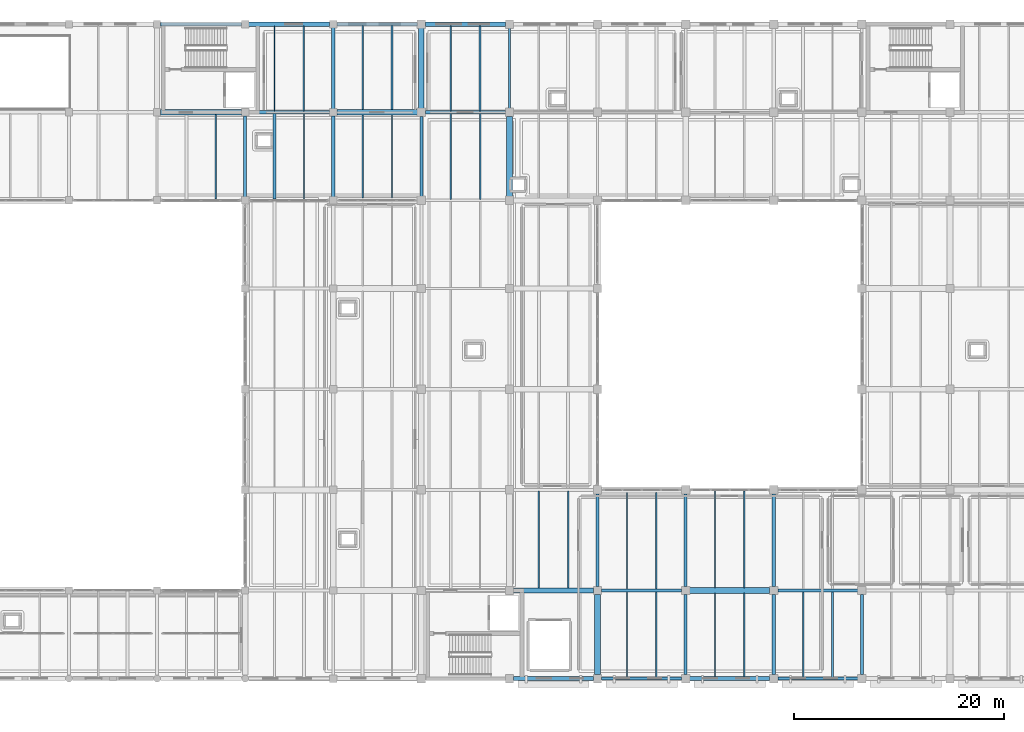
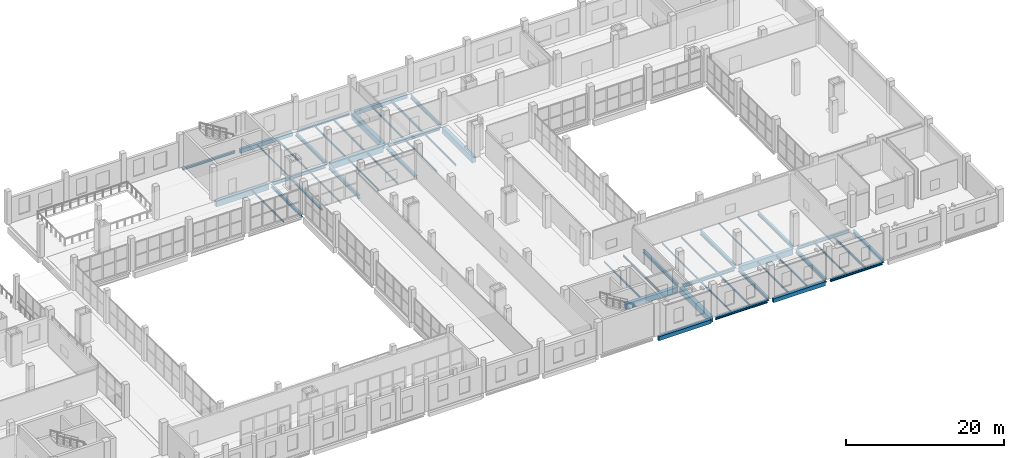
# One storey, part 35 of 73: 55 beams.
"""IFC4 building model written with IfcOpenShell, lengths in metres."""

from ifc_helpers import new_model, si_unit, direction, frame, origin, origin_2d, place, context, subcontext, project, spatial, rectangle, i_section, extrude, material, material_profile, profile_set, type_object, element, save


model = new_model("IFC4")

# Units and contexts
model_context = context("Model", 3, precision=1e-05, world=origin(), true_north=direction((0.0, 1.0)))
body_context = subcontext(model_context, "Body", "Model", "MODEL_VIEW")
ifc_project = project(units=[si_unit("LENGTHUNIT", "METRE"), si_unit("AREAUNIT", "SQUARE_METRE"), si_unit("VOLUMEUNIT", "CUBIC_METRE"), si_unit("PLANEANGLEUNIT", "RADIAN"), si_unit("MASSUNIT", "GRAM", prefix="KILO")], contexts=[model_context])

# Site, building, storey
site_placement = place(None, origin())
site = spatial("IfcSite", under=ifc_project, at=site_placement, CompositionType="ELEMENT")
building_placement = place(site_placement, origin())
building = spatial("IfcBuilding", under=site, at=building_placement, Name="Zulmaris Art Gallery", CompositionType="ELEMENT")
storey_placement = place(building_placement, frame((0.0, 0.0, 10.5)))
storey = spatial("IfcBuildingStorey", under=building, at=storey_placement, Name="L02", CompositionType="ELEMENT", Elevation=10.5)

# Beams
ifc_material_1 = material(Name="Steel S355J2", Category="steel")
ifc_material_profile_1 = material_profile(ifc_material_1, i_section(OverallWidth=0.219970703125, OverallDepth=0.60009765625, WebThickness=0.011962890625, FlangeThickness=0.01904296875, FilletRadius=0.02392578125, at=origin_2d()), Name="IPE 600")
ifc_profile_set_1 = profile_set([ifc_material_profile_1], Name="Steel S355J2")
beam_type_1 = type_object("IfcBeamType", Name="BEAM-BM07", PredefinedType="BEAM", material=ifc_profile_set_1)
beam_1_placement = place(storey_placement, frame((150.0, 67.5849609375, -0.699951171875), z_axis=(0.0, 1.0, 0.0), x_axis=(-1.0, 0.0, 0.0)))
element("IfcBeam", 1, at=beam_1_placement, inside=storey, type_object=beam_type_1, Name="L02 Y-girder (x=150.0, 67.2..75.6)", PredefinedType="BEAM", context=body_context, shape_type="SweptSolid", body=[
    extrude(i_section(OverallWidth=0.219970703125, OverallDepth=0.60009765625, WebThickness=0.011962890625, FlangeThickness=0.01904296875, FilletRadius=0.02392578125, at=origin_2d()), origin(), (0.0, 0.0, 1.0), 7.630126953125),
])
ifc_material_profile_2 = material_profile(ifc_material_1, i_section(OverallWidth=0.300048828125, OverallDepth=0.489990234375, WebThickness=0.011962890625, FlangeThickness=0.02294921875, FilletRadius=0.027099609375, at=origin_2d()), Name="HEA 500")
ifc_profile_set_2 = profile_set([ifc_material_profile_2], Name="Steel S355J2")
beam_type_2 = type_object("IfcBeamType", Name="BEAM-BM11", PredefinedType="BEAM", material=ifc_profile_set_2)
beam_2_placement = place(storey_placement, frame((175.5849609375, 21.60009765625, -0.64501953125), z_axis=(1.0, 0.0, 0.0), x_axis=(0.0, 1.0, 0.0)))
element("IfcBeam", 2, at=beam_2_placement, inside=storey, type_object=beam_type_2, Name="L02 X-girder (175.2..183.6, y=21.6)", PredefinedType="BEAM", context=body_context, shape_type="SweptSolid", body=[
    extrude(i_section(OverallWidth=0.300048828125, OverallDepth=0.489990234375, WebThickness=0.011962890625, FlangeThickness=0.02294921875, FilletRadius=0.027099609375, at=origin_2d()), origin(), (0.0, 0.0, 1.0), 7.630126953125),
])
beam_3_placement = place(storey_placement, frame((141.985107421875, 67.199951171875, -0.64501953125), z_axis=(1.0, 0.0, 0.0), x_axis=(0.0, 1.0, 0.0)))
element("IfcBeam", 3, at=beam_3_placement, inside=storey, type_object=beam_type_2, Name="L02 X-girder (141.6..150.0, y=67.2)", PredefinedType="BEAM", context=body_context, shape_type="SweptSolid", body=[
    extrude(i_section(OverallWidth=0.300048828125, OverallDepth=0.489990234375, WebThickness=0.011962890625, FlangeThickness=0.02294921875, FilletRadius=0.027099609375, at=origin_2d()), origin(), (0.0, 0.0, 1.0), 7.6298828125),
])
beam_4_placement = place(storey_placement, frame((124.800048828125, 59.135009765625, -0.64501953125), z_axis=(0.0, 1.0, 0.0), x_axis=(-1.0, 0.0, 0.0)))
element("IfcBeam", 4, at=beam_4_placement, inside=storey, type_object=beam_type_2, Name="L02 Y-girder (x=124.8, 58.8..67.2)", PredefinedType="BEAM", context=body_context, shape_type="SweptSolid", body=[
    extrude(i_section(OverallWidth=0.300048828125, OverallDepth=0.489990234375, WebThickness=0.011962890625, FlangeThickness=0.02294921875, FilletRadius=0.027099609375, at=origin_2d()), origin(), (0.0, 0.0, 1.0), 7.72998046875),
])
beam_5_placement = place(storey_placement, frame((158.39990234375, 21.985107421875, -0.64501953125), z_axis=(0.0, 1.0, 0.0), x_axis=(-1.0, 0.0, 0.0)))
element("IfcBeam", 5, at=beam_5_placement, inside=storey, type_object=beam_type_2, Name="L02 Y-girder (x=158.4, 21.6..31.2)", PredefinedType="BEAM", context=body_context, shape_type="SweptSolid", body=[
    extrude(i_section(OverallWidth=0.300048828125, OverallDepth=0.489990234375, WebThickness=0.011962890625, FlangeThickness=0.02294921875, FilletRadius=0.027099609375, at=origin_2d()), origin(), (0.0, 0.0, 1.0), 8.829833984375),
])
beam_6_placement = place(storey_placement, frame((166.800048828125, 13.5849609375, -0.64501953125), z_axis=(0.0, 1.0, 0.0), x_axis=(-1.0, 0.0, 0.0)))
element("IfcBeam", 6, at=beam_6_placement, inside=storey, type_object=beam_type_2, Name="L02 Y-girder (x=166.8, 13.2..21.6)", PredefinedType="BEAM", context=body_context, shape_type="SweptSolid", body=[
    extrude(i_section(OverallWidth=0.300048828125, OverallDepth=0.489990234375, WebThickness=0.011962890625, FlangeThickness=0.02294921875, FilletRadius=0.027099609375, at=origin_2d()), origin(), (0.0, 0.0, 1.0), 7.630126953125),
])
ifc_material_profile_3 = material_profile(ifc_material_1, i_section(OverallWidth=0.300048828125, OverallDepth=0.5, WebThickness=0.014404296875, FlangeThickness=0.028076171875, FilletRadius=0.027099609375, at=origin_2d()), Name="HEB 500")
ifc_profile_set_3 = profile_set([ifc_material_profile_3], Name="Steel S355J2")
beam_type_3 = type_object("IfcBeamType", Name="BEAM-BM14", PredefinedType="BEAM", material=ifc_profile_set_3)
beam_7_placement = place(storey_placement, frame((158.784912109375, 21.60009765625, -0.64990234375), z_axis=(1.0, 0.0, 0.0), x_axis=(0.0, 1.0, 0.0)))
element("IfcBeam", 7, at=beam_7_placement, inside=storey, type_object=beam_type_3, Name="L02 X-girder (158.4..166.8, y=21.6)", PredefinedType="BEAM", context=body_context, shape_type="SweptSolid", body=[
    extrude(i_section(OverallWidth=0.300048828125, OverallDepth=0.5, WebThickness=0.014404296875, FlangeThickness=0.028076171875, FilletRadius=0.027099609375, at=origin_2d()), origin(), (0.0, 0.0, 1.0), 7.630126953125),
])
for number, where, z_axis, x_axis, name in (
    (8, (125.135009765625, 67.199951171875, -0.64990234375), (1.0, 0.0, 0.0), (0.0, 1.0, 0.0), "L02 X-girder (124.8..133.2, y=67.2)"),
    (9, (133.199951171875, 67.534912109375, -0.64501953125), (0.0, 1.0, 0.0), (-1.0, 0.0, 0.0), "L02 Y-girder (x=133.2, 67.2..75.6)"),
):
    element("IfcBeam", number, at=place(storey_placement, frame(where, z_axis=z_axis, x_axis=x_axis)), inside=storey, type_object=beam_type_3, Name=name, PredefinedType="BEAM", context=body_context, shape_type="SweptSolid", body=[
        extrude(i_section(OverallWidth=0.300048828125, OverallDepth=0.5, WebThickness=0.014404296875, FlangeThickness=0.028076171875, FilletRadius=0.027099609375, at=origin_2d()), origin(), (0.0, 0.0, 1.0), 7.72998046875),
    ])
beam_8_placement = place(storey_placement, frame((141.60009765625, 59.18505859375, -0.64501953125), z_axis=(0.0, 1.0, 0.0), x_axis=(-1.0, 0.0, 0.0)))
element("IfcBeam", 10, at=beam_8_placement, inside=storey, type_object=beam_type_3, Name="L02 Y-girder (x=141.6, 58.8..67.2)", PredefinedType="BEAM", context=body_context, shape_type="SweptSolid", body=[
    extrude(i_section(OverallWidth=0.300048828125, OverallDepth=0.5, WebThickness=0.014404296875, FlangeThickness=0.028076171875, FilletRadius=0.027099609375, at=origin_2d()), origin(), (0.0, 0.0, 1.0), 7.6298828125),
])
beam_9_placement = place(storey_placement, frame((175.199951171875, 21.985107421875, -0.64501953125), z_axis=(0.0, 1.0, 0.0), x_axis=(-1.0, 0.0, 0.0)))
element("IfcBeam", 11, at=beam_9_placement, inside=storey, type_object=beam_type_3, Name="L02 Y-girder (x=175.2, 21.6..31.2)", PredefinedType="BEAM", context=body_context, shape_type="SweptSolid", body=[
    extrude(i_section(OverallWidth=0.300048828125, OverallDepth=0.5, WebThickness=0.014404296875, FlangeThickness=0.028076171875, FilletRadius=0.027099609375, at=origin_2d()), origin(), (0.0, 0.0, 1.0), 8.829833984375),
])
beam_10_placement = place(storey_placement, frame((183.60009765625, 13.5849609375, -0.64501953125), z_axis=(0.0, 1.0, 0.0), x_axis=(-1.0, 0.0, 0.0)))
element("IfcBeam", 12, at=beam_10_placement, inside=storey, type_object=beam_type_3, Name="L02 Y-girder (x=183.6, 13.2..21.6)", PredefinedType="BEAM", context=body_context, shape_type="SweptSolid", body=[
    extrude(i_section(OverallWidth=0.300048828125, OverallDepth=0.5, WebThickness=0.014404296875, FlangeThickness=0.028076171875, FilletRadius=0.027099609375, at=origin_2d()), origin(), (0.0, 0.0, 1.0), 7.630126953125),
])
ifc_material_profile_4 = material_profile(ifc_material_1, i_section(OverallWidth=0.300048828125, OverallDepth=0.60009765625, WebThickness=0.015380859375, FlangeThickness=0.030029296875, FilletRadius=0.027099609375, at=origin_2d()), Name="HEB 600")
ifc_profile_set_4 = profile_set([ifc_material_profile_4], Name="Steel S355J2")
beam_type_4 = type_object("IfcBeamType", Name="BEAM-BM15", PredefinedType="BEAM", material=ifc_profile_set_4)
beam_11_placement = place(storey_placement, frame((133.199951171875, 59.135009765625, -0.699951171875), z_axis=(0.0, 1.0, 0.0), x_axis=(-1.0, 0.0, 0.0)))
element("IfcBeam", 13, at=beam_11_placement, inside=storey, type_object=beam_type_4, Name="L02 Y-girder (x=133.2, 58.8..67.2)", PredefinedType="BEAM", context=body_context, shape_type="SweptSolid", body=[
    extrude(i_section(OverallWidth=0.300048828125, OverallDepth=0.60009765625, WebThickness=0.015380859375, FlangeThickness=0.030029296875, FilletRadius=0.027099609375, at=origin_2d()), origin(), (0.0, 0.0, 1.0), 7.72998046875),
])
beam_12_placement = place(storey_placement, frame((166.800048828125, 21.985107421875, -0.699951171875), z_axis=(0.0, 1.0, 0.0), x_axis=(-1.0, 0.0, 0.0)))
element("IfcBeam", 14, at=beam_12_placement, inside=storey, type_object=beam_type_4, Name="L02 Y-girder (x=166.8, 21.6..31.2)", PredefinedType="BEAM", context=body_context, shape_type="SweptSolid", body=[
    extrude(i_section(OverallWidth=0.300048828125, OverallDepth=0.60009765625, WebThickness=0.015380859375, FlangeThickness=0.030029296875, FilletRadius=0.027099609375, at=origin_2d()), origin(), (0.0, 0.0, 1.0), 8.829833984375),
])
beam_13_placement = place(storey_placement, frame((175.199951171875, 13.5849609375, -0.699951171875), z_axis=(0.0, 1.0, 0.0), x_axis=(-1.0, 0.0, 0.0)))
element("IfcBeam", 15, at=beam_13_placement, inside=storey, type_object=beam_type_4, Name="L02 Y-girder (x=175.2, 13.2..21.6)", PredefinedType="BEAM", context=body_context, shape_type="SweptSolid", body=[
    extrude(i_section(OverallWidth=0.300048828125, OverallDepth=0.60009765625, WebThickness=0.015380859375, FlangeThickness=0.030029296875, FilletRadius=0.027099609375, at=origin_2d()), origin(), (0.0, 0.0, 1.0), 7.630126953125),
])
ifc_material_2 = material(Name="Concrete C40/50", Category="concrete")
ifc_material_profile_5 = material_profile(ifc_material_2, rectangle(XDim=0.550048828125, YDim=0.89990234375, at=origin_2d()), Name="RC 550x900")
ifc_profile_set_5 = profile_set([ifc_material_profile_5], Name="Concrete C40/50")
beam_type_5 = type_object("IfcBeamType", Name="BEAM-BM21", PredefinedType="BEAM", material=ifc_profile_set_5)
beam_14_placement = place(storey_placement, frame((167.18505859375, 21.60009765625, -0.85009765625), z_axis=(1.0, 0.0, 0.0), x_axis=(0.0, 1.0, 0.0)))
element("IfcBeam", 16, at=beam_14_placement, inside=storey, type_object=beam_type_5, Name="L02 X-girder (166.8..175.2, y=21.6)", PredefinedType="BEAM", context=body_context, shape_type="SweptSolid", body=[
    extrude(rectangle(XDim=0.550048828125, YDim=0.89990234375, at=origin_2d()), origin(), (0.0, 0.0, 1.0), 7.6298828125),
])
beam_15_placement = place(storey_placement, frame((133.534912109375, 67.199951171875, -0.85009765625), z_axis=(1.0, 0.0, 0.0), x_axis=(0.0, 1.0, 0.0)))
element("IfcBeam", 17, at=beam_15_placement, inside=storey, type_object=beam_type_5, Name="L02 X-girder (133.2..141.6, y=67.2)", PredefinedType="BEAM", context=body_context, shape_type="SweptSolid", body=[
    extrude(rectangle(XDim=0.550048828125, YDim=0.89990234375, at=origin_2d()), origin(), (0.0, 0.0, 1.0), 7.68017578125),
])
beam_16_placement = place(storey_placement, frame((141.60009765625, 67.5849609375, -0.85009765625), z_axis=(0.0, 1.0, 0.0), x_axis=(-1.0, 0.0, 0.0)))
element("IfcBeam", 18, at=beam_16_placement, inside=storey, type_object=beam_type_5, Name="L02 Y-girder (x=141.6, 67.2..75.6)", PredefinedType="BEAM", context=body_context, shape_type="SweptSolid", body=[
    extrude(rectangle(XDim=0.550048828125, YDim=0.89990234375, at=origin_2d()), origin(), (0.0, 0.0, 1.0), 7.630126953125),
])
beam_17_placement = place(storey_placement, frame((150.0, 59.18505859375, -0.85009765625), z_axis=(0.0, 1.0, 0.0), x_axis=(-1.0, 0.0, 0.0)))
element("IfcBeam", 19, at=beam_17_placement, inside=storey, type_object=beam_type_5, Name="L02 Y-girder (x=150.0, 58.8..67.2)", PredefinedType="BEAM", context=body_context, shape_type="SweptSolid", body=[
    extrude(rectangle(XDim=0.550048828125, YDim=0.89990234375, at=origin_2d()), origin(), (0.0, 0.0, 1.0), 7.6298828125),
])
beam_18_placement = place(storey_placement, frame((158.39990234375, 13.5849609375, -0.85009765625), z_axis=(0.0, 1.0, 0.0), x_axis=(-1.0, 0.0, 0.0)))
element("IfcBeam", 20, at=beam_18_placement, inside=storey, type_object=beam_type_5, Name="L02 Y-girder (x=158.4, 13.2..21.6)", PredefinedType="BEAM", context=body_context, shape_type="SweptSolid", body=[
    extrude(rectangle(XDim=0.550048828125, YDim=0.89990234375, at=origin_2d()), origin(), (0.0, 0.0, 1.0), 7.630126953125),
])
ifc_material_profile_6 = material_profile(ifc_material_2, rectangle(XDim=0.5, YDim=0.85009765625, at=origin_2d()), Name="RC 500x850")
ifc_profile_set_6 = profile_set([ifc_material_profile_6], Name="Concrete C40/50")
beam_type_6 = type_object("IfcBeamType", Name="BEAM-BM26", PredefinedType="BEAM", material=ifc_profile_set_6)
beam_19_placement = place(storey_placement, frame((150.385009765625, 21.60009765625, -0.824951171875), z_axis=(1.0, 0.0, 0.0), x_axis=(0.0, 1.0, 0.0)))
element("IfcBeam", 21, at=beam_19_placement, inside=storey, type_object=beam_type_6, Name="L02 X-girder (150.0..158.4, y=21.6)", PredefinedType="BEAM", context=body_context, shape_type="SweptSolid", body=[
    extrude(rectangle(XDim=0.5, YDim=0.85009765625, at=origin_2d()), origin(), (0.0, 0.0, 1.0), 7.6298828125),
])
beam_20_placement = place(storey_placement, frame((116.735107421875, 67.199951171875, -0.824951171875), z_axis=(1.0, 0.0, 0.0), x_axis=(0.0, 1.0, 0.0)))
element("IfcBeam", 22, at=beam_20_placement, inside=storey, type_object=beam_type_6, Name="L02 X-girder (116.4..124.8, y=67.2)", PredefinedType="BEAM", context=body_context, shape_type="SweptSolid", body=[
    extrude(rectangle(XDim=0.5, YDim=0.85009765625, at=origin_2d()), origin(), (0.0, 0.0, 1.0), 7.72998046875),
])
ifc_material_profile_7 = material_profile(ifc_material_1, i_section(OverallWidth=0.1201171875, OverallDepth=0.239990234375, WebThickness=0.006103515625, FlangeThickness=0.009765625, FilletRadius=0.014892578125, at=origin_2d()), Name="IPE 240")
ifc_profile_set_7 = profile_set([ifc_material_profile_7], Name="Steel S355J2")
beam_type_7 = type_object("IfcBeamType", Name="BEAM-JS01", PredefinedType="JOIST", material=ifc_profile_set_7)
beam_21_placement = place(storey_placement, frame((122.0, 58.925048828125, -0.52001953125), z_axis=(0.0, 1.0, 0.0), x_axis=(-1.0, 0.0, 0.0)))
element("IfcBeam", 23, at=beam_21_placement, inside=storey, type_object=beam_type_7, Name="L02 secondary joist at x=122.0", PredefinedType="JOIST", context=body_context, shape_type="SweptSolid", body=[
    extrude(i_section(OverallWidth=0.1201171875, OverallDepth=0.239990234375, WebThickness=0.006103515625, FlangeThickness=0.009765625, FilletRadius=0.014892578125, at=origin_2d()), origin(), (0.0, 0.0, 1.0), 8.050048828125),
])
beam_22_placement = place(storey_placement, frame((130.39990234375, 58.925048828125, -0.52001953125), z_axis=(0.0, 1.0, 0.0), x_axis=(-1.0, 0.0, 0.0)))
element("IfcBeam", 24, at=beam_22_placement, inside=storey, type_object=beam_type_7, Name="L02 secondary joist at x=130.4", PredefinedType="JOIST", context=body_context, shape_type="SweptSolid", body=[
    extrude(i_section(OverallWidth=0.1201171875, OverallDepth=0.239990234375, WebThickness=0.006103515625, FlangeThickness=0.009765625, FilletRadius=0.014892578125, at=origin_2d()), origin(), (0.0, 0.0, 1.0), 8.14990234375),
])
beam_23_placement = place(storey_placement, frame((127.60009765625, 67.324951171875, -0.52001953125), z_axis=(0.0, 1.0, 0.0), x_axis=(-1.0, 0.0, 0.0)))
element("IfcBeam", 25, at=beam_23_placement, inside=storey, type_object=beam_type_7, Name="L02 secondary joist at x=127.6", PredefinedType="JOIST", context=body_context, shape_type="SweptSolid", body=[
    extrude(i_section(OverallWidth=0.1201171875, OverallDepth=0.239990234375, WebThickness=0.006103515625, FlangeThickness=0.009765625, FilletRadius=0.014892578125, at=origin_2d()), origin(), (0.0, 0.0, 1.0), 8.10009765625),
])
beam_24_placement = place(storey_placement, frame((136.0, 59.050048828125, -0.52001953125), z_axis=(0.0, 1.0, 0.0), x_axis=(-1.0, 0.0, 0.0)))
element("IfcBeam", 26, at=beam_24_placement, inside=storey, type_object=beam_type_7, Name="L02 secondary joist at x=136.0", PredefinedType="JOIST", context=body_context, shape_type="SweptSolid", body=[
    extrude(i_section(OverallWidth=0.1201171875, OverallDepth=0.239990234375, WebThickness=0.006103515625, FlangeThickness=0.009765625, FilletRadius=0.014892578125, at=origin_2d()), origin(), (0.0, 0.0, 1.0), 7.89990234375),
])
beam_25_placement = place(storey_placement, frame((144.39990234375, 58.885009765625, -0.52001953125), z_axis=(0.0, 1.0, 0.0), x_axis=(-1.0, 0.0, 0.0)))
element("IfcBeam", 27, at=beam_25_placement, inside=storey, type_object=beam_type_7, Name="L02 secondary joist at x=144.4", PredefinedType="JOIST", context=body_context, shape_type="SweptSolid", body=[
    extrude(i_section(OverallWidth=0.1201171875, OverallDepth=0.239990234375, WebThickness=0.006103515625, FlangeThickness=0.009765625, FilletRadius=0.014892578125, at=origin_2d()), origin(), (0.0, 0.0, 1.0), 8.18994140625),
])
beam_26_placement = place(storey_placement, frame((152.800048828125, 21.824951171875, -0.52001953125), z_axis=(0.0, 1.0, 0.0), x_axis=(-1.0, 0.0, 0.0)))
element("IfcBeam", 28, at=beam_26_placement, inside=storey, type_object=beam_type_7, Name="L02 secondary joist at x=152.8", PredefinedType="JOIST", context=body_context, shape_type="SweptSolid", body=[
    extrude(i_section(OverallWidth=0.1201171875, OverallDepth=0.239990234375, WebThickness=0.006103515625, FlangeThickness=0.009765625, FilletRadius=0.014892578125, at=origin_2d()), origin(), (0.0, 0.0, 1.0), 9.25),
])
beam_27_placement = place(storey_placement, frame((161.199951171875, 13.324951171875, -0.52001953125), z_axis=(0.0, 1.0, 0.0), x_axis=(-1.0, 0.0, 0.0)))
element("IfcBeam", 29, at=beam_27_placement, inside=storey, type_object=beam_type_7, Name="L02 secondary joist at x=161.2", PredefinedType="JOIST", context=body_context, shape_type="SweptSolid", body=[
    extrude(i_section(OverallWidth=0.1201171875, OverallDepth=0.239990234375, WebThickness=0.006103515625, FlangeThickness=0.009765625, FilletRadius=0.014892578125, at=origin_2d()), origin(), (0.0, 0.0, 1.0), 8.150146484375),
])
beam_28_placement = place(storey_placement, frame((161.199951171875, 21.72509765625, -0.52001953125), z_axis=(0.0, 1.0, 0.0), x_axis=(-1.0, 0.0, 0.0)))
element("IfcBeam", 30, at=beam_28_placement, inside=storey, type_object=beam_type_7, Name="L02 secondary joist at x=161.2", PredefinedType="JOIST", context=body_context, shape_type="SweptSolid", body=[
    extrude(i_section(OverallWidth=0.1201171875, OverallDepth=0.239990234375, WebThickness=0.006103515625, FlangeThickness=0.009765625, FilletRadius=0.014892578125, at=origin_2d()), origin(), (0.0, 0.0, 1.0), 9.224853515625),
])
beam_29_placement = place(storey_placement, frame((169.60009765625, 13.375, -0.52001953125), z_axis=(0.0, 1.0, 0.0), x_axis=(-1.0, 0.0, 0.0)))
element("IfcBeam", 31, at=beam_29_placement, inside=storey, type_object=beam_type_7, Name="L02 secondary joist at x=169.6", PredefinedType="JOIST", context=body_context, shape_type="SweptSolid", body=[
    extrude(i_section(OverallWidth=0.1201171875, OverallDepth=0.239990234375, WebThickness=0.006103515625, FlangeThickness=0.009765625, FilletRadius=0.014892578125, at=origin_2d()), origin(), (0.0, 0.0, 1.0), 7.97509765625),
])
beam_30_placement = place(storey_placement, frame((169.60009765625, 21.85009765625, -0.52001953125), z_axis=(0.0, 1.0, 0.0), x_axis=(-1.0, 0.0, 0.0)))
element("IfcBeam", 32, at=beam_30_placement, inside=storey, type_object=beam_type_7, Name="L02 secondary joist at x=169.6", PredefinedType="JOIST", context=body_context, shape_type="SweptSolid", body=[
    extrude(i_section(OverallWidth=0.1201171875, OverallDepth=0.239990234375, WebThickness=0.006103515625, FlangeThickness=0.009765625, FilletRadius=0.014892578125, at=origin_2d()), origin(), (0.0, 0.0, 1.0), 9.264892578125),
])
ifc_material_profile_8 = material_profile(ifc_material_1, i_section(OverallWidth=0.135009765625, OverallDepth=0.27001953125, WebThickness=0.006591796875, FlangeThickness=0.01025390625, FilletRadius=0.014892578125, at=origin_2d()), Name="IPE 270")
ifc_profile_set_8 = profile_set([ifc_material_profile_8], Name="Steel S355J2")
beam_type_8 = type_object("IfcBeamType", Name="BEAM-JS02", PredefinedType="JOIST", material=ifc_profile_set_8)
beam_31_placement = place(storey_placement, frame((130.39990234375, 67.324951171875, -0.534912109375), z_axis=(0.0, 1.0, 0.0), x_axis=(-1.0, 0.0, 0.0)))
element("IfcBeam", 33, at=beam_31_placement, inside=storey, type_object=beam_type_8, Name="L02 secondary joist at x=130.4", PredefinedType="JOIST", context=body_context, shape_type="SweptSolid", body=[
    extrude(i_section(OverallWidth=0.135009765625, OverallDepth=0.27001953125, WebThickness=0.006591796875, FlangeThickness=0.01025390625, FilletRadius=0.014892578125, at=origin_2d()), origin(), (0.0, 0.0, 1.0), 8.10009765625),
])
beam_32_placement = place(storey_placement, frame((138.800048828125, 59.050048828125, -0.534912109375), z_axis=(0.0, 1.0, 0.0), x_axis=(-1.0, 0.0, 0.0)))
element("IfcBeam", 34, at=beam_32_placement, inside=storey, type_object=beam_type_8, Name="L02 secondary joist at x=138.8", PredefinedType="JOIST", context=body_context, shape_type="SweptSolid", body=[
    extrude(i_section(OverallWidth=0.135009765625, OverallDepth=0.27001953125, WebThickness=0.006591796875, FlangeThickness=0.01025390625, FilletRadius=0.014892578125, at=origin_2d()), origin(), (0.0, 0.0, 1.0), 7.89990234375),
])
beam_33_placement = place(storey_placement, frame((136.0, 67.449951171875, -0.534912109375), z_axis=(0.0, 1.0, 0.0), x_axis=(-1.0, 0.0, 0.0)))
element("IfcBeam", 35, at=beam_33_placement, inside=storey, type_object=beam_type_8, Name="L02 secondary joist at x=136.0", PredefinedType="JOIST", context=body_context, shape_type="SweptSolid", body=[
    extrude(i_section(OverallWidth=0.135009765625, OverallDepth=0.27001953125, WebThickness=0.006591796875, FlangeThickness=0.01025390625, FilletRadius=0.014892578125, at=origin_2d()), origin(), (0.0, 0.0, 1.0), 8.025146484375),
])
beam_34_placement = place(storey_placement, frame((147.199951171875, 58.885009765625, -0.534912109375), z_axis=(0.0, 1.0, 0.0), x_axis=(-1.0, 0.0, 0.0)))
element("IfcBeam", 36, at=beam_34_placement, inside=storey, type_object=beam_type_8, Name="L02 secondary joist at x=147.2", PredefinedType="JOIST", context=body_context, shape_type="SweptSolid", body=[
    extrude(i_section(OverallWidth=0.135009765625, OverallDepth=0.27001953125, WebThickness=0.006591796875, FlangeThickness=0.01025390625, FilletRadius=0.014892578125, at=origin_2d()), origin(), (0.0, 0.0, 1.0), 8.18994140625),
])
beam_35_placement = place(storey_placement, frame((144.39990234375, 67.324951171875, -0.534912109375), z_axis=(0.0, 1.0, 0.0), x_axis=(-1.0, 0.0, 0.0)))
element("IfcBeam", 37, at=beam_35_placement, inside=storey, type_object=beam_type_8, Name="L02 secondary joist at x=144.4", PredefinedType="JOIST", context=body_context, shape_type="SweptSolid", body=[
    extrude(i_section(OverallWidth=0.135009765625, OverallDepth=0.27001953125, WebThickness=0.006591796875, FlangeThickness=0.01025390625, FilletRadius=0.014892578125, at=origin_2d()), origin(), (0.0, 0.0, 1.0), 8.10009765625),
])
beam_36_placement = place(storey_placement, frame((155.60009765625, 21.824951171875, -0.534912109375), z_axis=(0.0, 1.0, 0.0), x_axis=(-1.0, 0.0, 0.0)))
element("IfcBeam", 38, at=beam_36_placement, inside=storey, type_object=beam_type_8, Name="L02 secondary joist at x=155.6", PredefinedType="JOIST", context=body_context, shape_type="SweptSolid", body=[
    extrude(i_section(OverallWidth=0.135009765625, OverallDepth=0.27001953125, WebThickness=0.006591796875, FlangeThickness=0.01025390625, FilletRadius=0.014892578125, at=origin_2d()), origin(), (0.0, 0.0, 1.0), 9.25),
])
beam_37_placement = place(storey_placement, frame((164.0, 13.324951171875, -0.534912109375), z_axis=(0.0, 1.0, 0.0), x_axis=(-1.0, 0.0, 0.0)))
element("IfcBeam", 39, at=beam_37_placement, inside=storey, type_object=beam_type_8, Name="L02 secondary joist at x=164.0", PredefinedType="JOIST", context=body_context, shape_type="SweptSolid", body=[
    extrude(i_section(OverallWidth=0.135009765625, OverallDepth=0.27001953125, WebThickness=0.006591796875, FlangeThickness=0.01025390625, FilletRadius=0.014892578125, at=origin_2d()), origin(), (0.0, 0.0, 1.0), 8.150146484375),
])
beam_38_placement = place(storey_placement, frame((164.0, 21.72509765625, -0.534912109375), z_axis=(0.0, 1.0, 0.0), x_axis=(-1.0, 0.0, 0.0)))
element("IfcBeam", 40, at=beam_38_placement, inside=storey, type_object=beam_type_8, Name="L02 secondary joist at x=164.0", PredefinedType="JOIST", context=body_context, shape_type="SweptSolid", body=[
    extrude(i_section(OverallWidth=0.135009765625, OverallDepth=0.27001953125, WebThickness=0.006591796875, FlangeThickness=0.01025390625, FilletRadius=0.014892578125, at=origin_2d()), origin(), (0.0, 0.0, 1.0), 9.224853515625),
])
beam_39_placement = place(storey_placement, frame((172.39990234375, 13.375, -0.534912109375), z_axis=(0.0, 1.0, 0.0), x_axis=(-1.0, 0.0, 0.0)))
element("IfcBeam", 41, at=beam_39_placement, inside=storey, type_object=beam_type_8, Name="L02 secondary joist at x=172.4", PredefinedType="JOIST", context=body_context, shape_type="SweptSolid", body=[
    extrude(i_section(OverallWidth=0.135009765625, OverallDepth=0.27001953125, WebThickness=0.006591796875, FlangeThickness=0.01025390625, FilletRadius=0.014892578125, at=origin_2d()), origin(), (0.0, 0.0, 1.0), 7.97509765625),
])
beam_40_placement = place(storey_placement, frame((172.39990234375, 21.85009765625, -0.534912109375), z_axis=(0.0, 1.0, 0.0), x_axis=(-1.0, 0.0, 0.0)))
element("IfcBeam", 42, at=beam_40_placement, inside=storey, type_object=beam_type_8, Name="L02 secondary joist at x=172.4", PredefinedType="JOIST", context=body_context, shape_type="SweptSolid", body=[
    extrude(i_section(OverallWidth=0.135009765625, OverallDepth=0.27001953125, WebThickness=0.006591796875, FlangeThickness=0.01025390625, FilletRadius=0.014892578125, at=origin_2d()), origin(), (0.0, 0.0, 1.0), 9.264892578125),
])
beam_41_placement = place(storey_placement, frame((178.0, 13.324951171875, -0.534912109375), z_axis=(0.0, 1.0, 0.0), x_axis=(-1.0, 0.0, 0.0)))
element("IfcBeam", 43, at=beam_41_placement, inside=storey, type_object=beam_type_8, Name="L02 secondary joist at x=178.0", PredefinedType="JOIST", context=body_context, shape_type="SweptSolid", body=[
    extrude(i_section(OverallWidth=0.135009765625, OverallDepth=0.27001953125, WebThickness=0.006591796875, FlangeThickness=0.01025390625, FilletRadius=0.014892578125, at=origin_2d()), origin(), (0.0, 0.0, 1.0), 8.150146484375),
])
ifc_material_profile_9 = material_profile(ifc_material_1, i_section(OverallWidth=0.159912109375, OverallDepth=0.330078125, WebThickness=0.007568359375, FlangeThickness=0.011474609375, FilletRadius=0.01806640625, at=origin_2d()), Name="IPE 330")
ifc_profile_set_9 = profile_set([ifc_material_profile_9], Name="Steel S355J2")
beam_type_9 = type_object("IfcBeamType", Name="BEAM-JS03", PredefinedType="JOIST", material=ifc_profile_set_9)
beam_42_placement = place(storey_placement, frame((138.800048828125, 67.449951171875, -0.56494140625), z_axis=(0.0, 1.0, 0.0), x_axis=(-1.0, 0.0, 0.0)))
element("IfcBeam", 44, at=beam_42_placement, inside=storey, type_object=beam_type_9, Name="L02 secondary joist at x=138.8", PredefinedType="JOIST", context=body_context, shape_type="SweptSolid", body=[
    extrude(i_section(OverallWidth=0.159912109375, OverallDepth=0.330078125, WebThickness=0.007568359375, FlangeThickness=0.011474609375, FilletRadius=0.01806640625, at=origin_2d()), origin(), (0.0, 0.0, 1.0), 8.025146484375),
])
beam_43_placement = place(storey_placement, frame((147.199951171875, 67.324951171875, -0.56494140625), z_axis=(0.0, 1.0, 0.0), x_axis=(-1.0, 0.0, 0.0)))
element("IfcBeam", 45, at=beam_43_placement, inside=storey, type_object=beam_type_9, Name="L02 secondary joist at x=147.2", PredefinedType="JOIST", context=body_context, shape_type="SweptSolid", body=[
    extrude(i_section(OverallWidth=0.159912109375, OverallDepth=0.330078125, WebThickness=0.007568359375, FlangeThickness=0.011474609375, FilletRadius=0.01806640625, at=origin_2d()), origin(), (0.0, 0.0, 1.0), 8.10009765625),
])
beam_44_placement = place(storey_placement, frame((180.800048828125, 13.324951171875, -0.56494140625), z_axis=(0.0, 1.0, 0.0), x_axis=(-1.0, 0.0, 0.0)))
element("IfcBeam", 46, at=beam_44_placement, inside=storey, type_object=beam_type_9, Name="L02 secondary joist at x=180.8", PredefinedType="JOIST", context=body_context, shape_type="SweptSolid", body=[
    extrude(i_section(OverallWidth=0.159912109375, OverallDepth=0.330078125, WebThickness=0.007568359375, FlangeThickness=0.011474609375, FilletRadius=0.01806640625, at=origin_2d()), origin(), (0.0, 0.0, 1.0), 8.150146484375),
])
ifc_material_profile_10 = material_profile(ifc_material_1, i_section(OverallWidth=0.280029296875, OverallDepth=0.27001953125, WebThickness=0.008056640625, FlangeThickness=0.012939453125, FilletRadius=0.02392578125, at=origin_2d()), Name="HEA 280")
ifc_profile_set_10 = profile_set([ifc_material_profile_10], Name="Steel S355J2")
beam_type_10 = type_object("IfcBeamType", Name="BEAM-JS04", PredefinedType="JOIST", material=ifc_profile_set_10)
beam_45_placement = place(storey_placement, frame((127.60009765625, 58.925048828125, -0.534912109375), z_axis=(0.0, 1.0, 0.0), x_axis=(-1.0, 0.0, 0.0)))
element("IfcBeam", 47, at=beam_45_placement, inside=storey, type_object=beam_type_10, Name="L02 secondary joist at x=127.6", PredefinedType="JOIST", context=body_context, shape_type="SweptSolid", body=[
    extrude(i_section(OverallWidth=0.280029296875, OverallDepth=0.27001953125, WebThickness=0.008056640625, FlangeThickness=0.012939453125, FilletRadius=0.02392578125, at=origin_2d()), origin(), (0.0, 0.0, 1.0), 8.14990234375),
])
ifc_material_profile_11 = material_profile(ifc_material_1, i_section(OverallWidth=0.300048828125, OverallDepth=0.35009765625, WebThickness=0.010009765625, FlangeThickness=0.017578125, FilletRadius=0.027099609375, at=origin_2d()), Name="HEA 360")
ifc_profile_set_11 = profile_set([ifc_material_profile_11], Name="Steel S355J2")
beam_type_11 = type_object("IfcBeamType", Name="BEAM-SP01", PredefinedType="SPANDREL", material=ifc_profile_set_11)
for number, where, z_axis, x_axis, name in (
    (48, (158.784912109375, 13.199951171875, -0.574951171875), (1.0, 0.0, 0.0), (0.0, 1.0, 0.0), "L02 X-girder (158.4..166.8, y=13.2)"),
    (49, (175.5849609375, 13.199951171875, -0.574951171875), (1.0, 0.0, 0.0), (0.0, 1.0, 0.0), "L02 X-girder (175.2..183.6, y=13.2)"),
):
    element("IfcBeam", number, at=place(storey_placement, frame(where, z_axis=z_axis, x_axis=x_axis)), inside=storey, type_object=beam_type_11, Name=name, PredefinedType="SPANDREL", context=body_context, shape_type="SweptSolid", body=[
        extrude(i_section(OverallWidth=0.300048828125, OverallDepth=0.35009765625, WebThickness=0.010009765625, FlangeThickness=0.017578125, FilletRadius=0.027099609375, at=origin_2d()), origin(), (0.0, 0.0, 1.0), 7.630126953125),
    ])
beam_46_placement = place(storey_placement, frame((116.735107421875, 75.60009765625, -0.574951171875), z_axis=(1.0, 0.0, 0.0), x_axis=(0.0, 1.0, 0.0)))
element("IfcBeam", 50, at=beam_46_placement, inside=storey, type_object=beam_type_11, Name="L02 X-girder (116.4..124.8, y=75.6)", PredefinedType="SPANDREL", context=body_context, shape_type="SweptSolid", body=[
    extrude(i_section(OverallWidth=0.300048828125, OverallDepth=0.35009765625, WebThickness=0.010009765625, FlangeThickness=0.017578125, FilletRadius=0.027099609375, at=origin_2d()), origin(), (0.0, 0.0, 1.0), 7.72998046875),
])
beam_47_placement = place(storey_placement, frame((133.534912109375, 75.60009765625, -0.574951171875), z_axis=(1.0, 0.0, 0.0), x_axis=(0.0, 1.0, 0.0)))
element("IfcBeam", 51, at=beam_47_placement, inside=storey, type_object=beam_type_11, Name="L02 X-girder (133.2..141.6, y=75.6)", PredefinedType="SPANDREL", context=body_context, shape_type="SweptSolid", body=[
    extrude(i_section(OverallWidth=0.300048828125, OverallDepth=0.35009765625, WebThickness=0.010009765625, FlangeThickness=0.017578125, FilletRadius=0.027099609375, at=origin_2d()), origin(), (0.0, 0.0, 1.0), 7.68017578125),
])
ifc_material_profile_12 = material_profile(ifc_material_2, rectangle(XDim=0.39990234375, YDim=0.60009765625, at=origin_2d()), Name="RC 400x600")
ifc_profile_set_12 = profile_set([ifc_material_profile_12], Name="Concrete C40/50")
beam_type_12 = type_object("IfcBeamType", Name="BEAM-SP03", PredefinedType="SPANDREL", material=ifc_profile_set_12)
for number, where, z_axis, x_axis, name in (
    (52, (150.385009765625, 13.199951171875, -0.699951171875), (1.0, 0.0, 0.0), (0.0, 1.0, 0.0), "L02 X-girder (150.0..158.4, y=13.2)"),
    (53, (167.18505859375, 13.199951171875, -0.699951171875), (1.0, 0.0, 0.0), (0.0, 1.0, 0.0), "L02 X-girder (166.8..175.2, y=13.2)"),
):
    element("IfcBeam", number, at=place(storey_placement, frame(where, z_axis=z_axis, x_axis=x_axis)), inside=storey, type_object=beam_type_12, Name=name, PredefinedType="SPANDREL", context=body_context, shape_type="SweptSolid", body=[
        extrude(rectangle(XDim=0.39990234375, YDim=0.60009765625, at=origin_2d()), origin(), (0.0, 0.0, 1.0), 7.6298828125),
    ])
beam_48_placement = place(storey_placement, frame((125.135009765625, 75.60009765625, -0.699951171875), z_axis=(1.0, 0.0, 0.0), x_axis=(0.0, 1.0, 0.0)))
element("IfcBeam", 54, at=beam_48_placement, inside=storey, type_object=beam_type_12, Name="L02 X-girder (124.8..133.2, y=75.6)", PredefinedType="SPANDREL", context=body_context, shape_type="SweptSolid", body=[
    extrude(rectangle(XDim=0.39990234375, YDim=0.60009765625, at=origin_2d()), origin(), (0.0, 0.0, 1.0), 7.72998046875),
])
beam_49_placement = place(storey_placement, frame((141.985107421875, 75.60009765625, -0.699951171875), z_axis=(1.0, 0.0, 0.0), x_axis=(0.0, 1.0, 0.0)))
element("IfcBeam", 55, at=beam_49_placement, inside=storey, type_object=beam_type_12, Name="L02 X-girder (141.6..150.0, y=75.6)", PredefinedType="SPANDREL", context=body_context, shape_type="SweptSolid", body=[
    extrude(rectangle(XDim=0.39990234375, YDim=0.60009765625, at=origin_2d()), origin(), (0.0, 0.0, 1.0), 7.6298828125),
])

save(model, "model.ifc")
